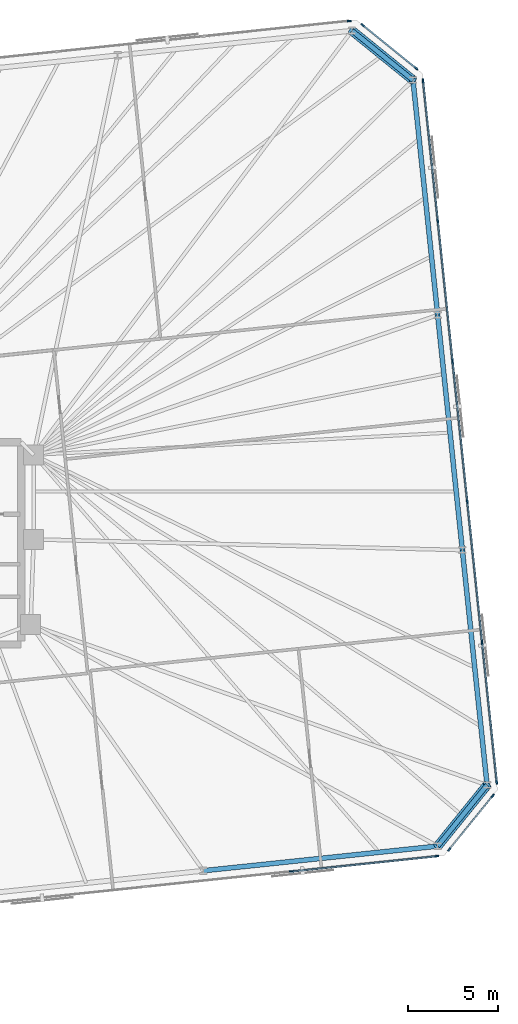
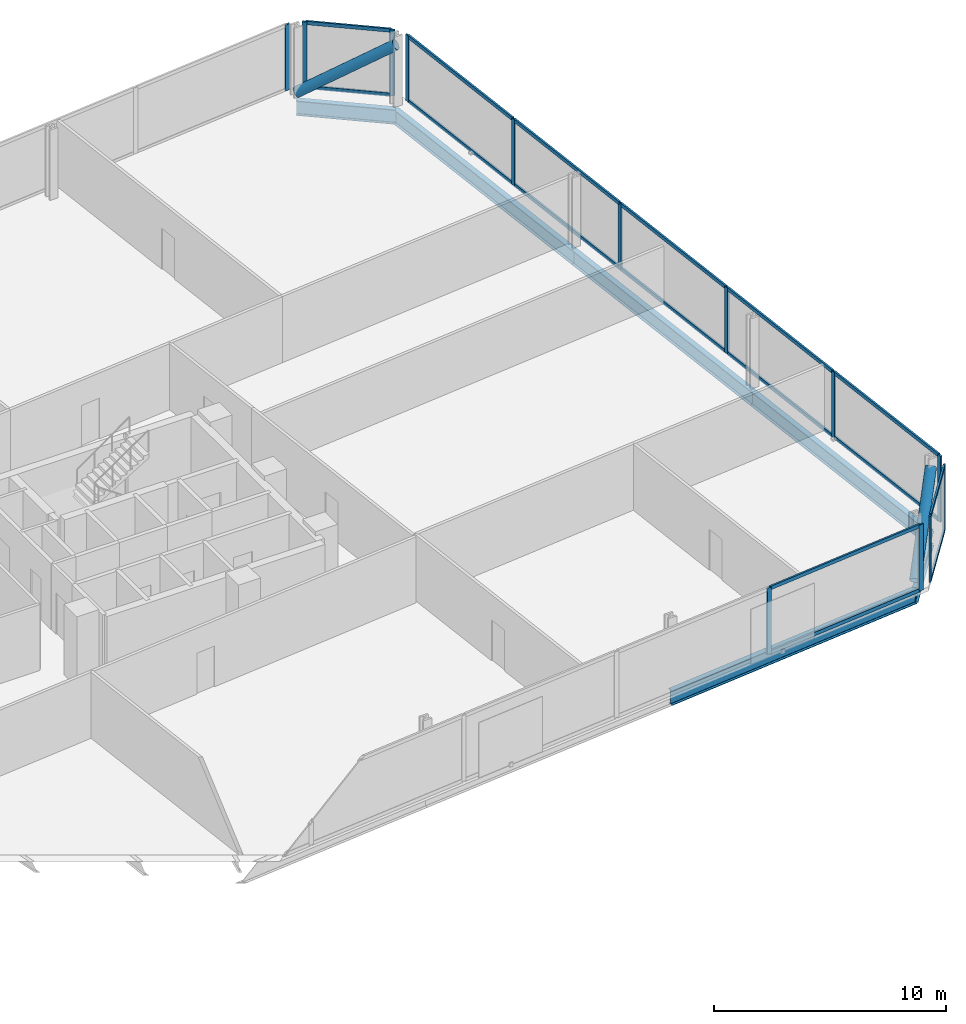
# One storey, part 12 of 18: 31 members, 6 beams, 5 elements without a shape of their own.
"""IFC4 building model written with IfcOpenShell, lengths in metres."""

import ifcopenshell
import ifcopenshell.guid

model = None  # the IFC model being written
_history = None  # IfcOwnerHistory: only IFC2X3 demands one
_inside = {}  # id of a spatial element -> (the spatial element, [elements in it])
_under = {}  # id of a project, library or spatial element -> (it, [spatial elements below it])
_declared = {}  # id of a project -> (the project, [libraries it declares])
_typed = {}  # id of a type object -> (the type object, [elements of that type])
_made_of = {}  # id of a material, layer set ... -> (it, [elements and type objects made of it])


def new_model(schema):
    """Start an empty IFC model of exactly this schema.

    Asked for "IFC4X3", IfcOpenShell would pick the latest addendum, in which some entities
    have other attributes; the version numbers below select the first issue.
    IFC2X3 requires an IfcOwnerHistory on every rooted entity: one is made here for all.
    """
    global model, _history
    if schema == "IFC4X3":
        model = ifcopenshell.file(schema_version=(4, 3, 0, 0))
    else:
        model = ifcopenshell.file(schema=schema)
    _inside.clear()
    _under.clear()
    _declared.clear()
    _typed.clear()
    _made_of.clear()
    _history = None
    if model.schema == "IFC2X3":
        org = make("IfcOrganization", Name="unknown")
        user = make(
            "IfcPersonAndOrganization",
            ThePerson=make("IfcPerson", FamilyName="unknown"),
            TheOrganization=org,
        )
        app = make(
            "IfcApplication",
            ApplicationDeveloper=org,
            Version="unknown",
            ApplicationFullName="unknown",
            ApplicationIdentifier="unknown",
        )
        _history = make(
            "IfcOwnerHistory",
            OwningUser=user,
            OwningApplication=app,
            ChangeAction="ADDED",
            CreationDate=0,
        )
    return model


def make(cls, **values):
    """One entity of the class cls with the attributes given. An attribute that is None is left unset."""
    return model.create_entity(
        cls, **{name: value for name, value in values.items() if value is not None}
    )


def rooted(cls, **values):
    """An entity with a GlobalId (a new one), such as an element, a storey or a relation."""
    return make(cls, GlobalId=ifcopenshell.guid.new(), OwnerHistory=_history, **values)


def si_unit(unit_type, name, prefix=None):
    """IfcSIUnit, for example si_unit("LENGTHUNIT", "METRE", prefix="MILLI")."""
    return make("IfcSIUnit", UnitType=unit_type, Prefix=prefix, Name=name)


def assignment(units):
    """IfcUnitAssignment: the units of a project."""
    return None if units is None else make("IfcUnitAssignment", Units=units)


def point(xyz):
    """IfcCartesianPoint."""
    return None if xyz is None else make("IfcCartesianPoint", Coordinates=xyz)


def direction(xyz):
    """IfcDirection."""
    return None if xyz is None else make("IfcDirection", DirectionRatios=xyz)


def frame(location, z_axis=None, x_axis=None):
    """IfcAxis2Placement3D, a coordinate frame: its origin and axes. An axis left out is left unset."""
    return make(
        "IfcAxis2Placement3D",
        Location=point(location),
        Axis=direction(z_axis),
        RefDirection=direction(x_axis),
    )


def frame_2d(location, x_axis=None):
    """IfcAxis2Placement2D, a coordinate frame in the plane: its origin and x axis."""
    return make(
        "IfcAxis2Placement2D", Location=point(location), RefDirection=direction(x_axis)
    )


def origin():
    """The frame at (0, 0, 0) with its axes left unset."""
    return frame((0.0, 0.0, 0.0))


def origin_2d():
    """The frame at (0, 0) in the plane with its x axis left unset."""
    return frame_2d((0.0, 0.0))


def place(relative_to, where):
    """IfcLocalPlacement: puts the frame where relative to a parent placement (None: the world)."""
    return make(
        "IfcLocalPlacement", PlacementRelTo=relative_to, RelativePlacement=where
    )


def context(
    kind, dimensions, precision=None, world=None, true_north=None, identifier=None
):
    """IfcGeometricRepresentationContext, for example the 3D "Model" context."""
    return make(
        "IfcGeometricRepresentationContext",
        ContextIdentifier=identifier,
        ContextType=kind,
        CoordinateSpaceDimension=dimensions,
        Precision=precision,
        WorldCoordinateSystem=world,
        TrueNorth=true_north,
    )


def subcontext(parent, identifier, kind, view, scale=None):
    """IfcGeometricRepresentationSubContext, for example "Body" below "Model"."""
    return make(
        "IfcGeometricRepresentationSubContext",
        ContextIdentifier=identifier,
        ContextType=kind,
        ParentContext=parent,
        TargetScale=scale,
        TargetView=view,
    )


def project(units=None, contexts=None):
    """IfcProject with its units and contexts."""
    return rooted(
        "IfcProject",
        Name="project",
        RepresentationContexts=contexts,
        UnitsInContext=assignment(units),
    )


def spatial(cls, under=None, at=None, **own):
    """A site, building, storey or space (cls), placed at a placement, below another one or the project."""
    s = rooted(cls, ObjectPlacement=at, **own)
    if under is not None:
        _under.setdefault(under.id(), (under, []))[1].append(s)
    return s


def profile(cls, at=None, kind="AREA", **sizes):
    """A parametric profile (cls). Its sizes go by their IFC names, for example OverallWidth=200.0."""
    return make(cls, ProfileType=kind, Position=at, **sizes)


def rectangle(**sizes):
    """IfcRectangleProfileDef."""
    return profile("IfcRectangleProfileDef", **sizes)


def hollow_circle(**sizes):
    """IfcCircleHollowProfileDef."""
    return profile("IfcCircleHollowProfileDef", **sizes)


def i_section(**sizes):
    """IfcIShapeProfileDef."""
    return profile("IfcIShapeProfileDef", **sizes)


def extrude(swept, where, along, depth):
    """IfcExtrudedAreaSolid: the profile swept, set in the frame where, extruded along a direction by depth."""
    return make(
        "IfcExtrudedAreaSolid",
        SweptArea=swept,
        Position=where,
        ExtrudedDirection=direction(along),
        Depth=depth,
    )


def shape(context_of_items, identifier, shape_type, items):
    """IfcShapeRepresentation: the items that make up one representation, for example the "Body"."""
    return make(
        "IfcShapeRepresentation",
        ContextOfItems=context_of_items,
        RepresentationIdentifier=identifier,
        RepresentationType=shape_type,
        Items=items,
    )


def material(Name=None, Category=None):
    """IfcMaterial."""
    return make("IfcMaterial", Name=Name, Category=Category)


def material_profile(
    of_material, cross_section, Name=None, Category=None, Priority=None
):
    """IfcMaterialProfile: a cross section and its material."""
    return make(
        "IfcMaterialProfile",
        Name=Name,
        Material=of_material,
        Profile=cross_section,
        Priority=Priority,
        Category=Category,
    )


def profile_set(profiles, Name=None, composite=None):
    """IfcMaterialProfileSet."""
    return make(
        "IfcMaterialProfileSet",
        Name=Name,
        MaterialProfiles=profiles,
        CompositeProfile=composite,
    )


def made_of(thing, what):
    """Note that an element or type object is made of a material, layer set ...; save() writes the relation."""
    if what is not None:
        _made_of.setdefault(what.id(), (what, []))[1].append(thing)
    return thing


def type_object(cls, material=None, **own):
    """A type object (cls), such as IfcWallType, which elements share."""
    return made_of(rooted(cls, **own), material)


def element(
    cls,
    number,
    at=None,
    inside=None,
    cuts=None,
    type_object=None,
    material=None,
    context=None,
    identifier="Body",
    shape_type=None,
    held_by="IfcProductDefinitionShape",
    body=None,
    shapes=None,
    **own,
):
    """One element of the class cls, such as IfcWall. Its Tag is "e" and its number.

    at: its placement. inside: the storey or other place that contains it. cuts: it is an
    opening in that element (IfcRelVoidsElement). A single representation is given by context,
    identifier, shape_type and body (its items); several are given by shapes. held_by: the class
    of the entity that holds the representations. save() writes the other relations.
    """
    e = rooted(cls, Tag="e%d" % number, ObjectPlacement=at, **own)
    if body is not None:
        shapes = [shape(context, identifier, shape_type, body)]
    if shapes is not None:
        e.Representation = make(held_by, Representations=shapes)
    if inside is not None:
        _inside.setdefault(inside.id(), (inside, []))[1].append(e)
    if cuts is not None:
        rooted(
            "IfcRelVoidsElement", RelatingBuildingElement=cuts, RelatedOpeningElement=e
        )
    if type_object is not None:
        _typed.setdefault(type_object.id(), (type_object, []))[1].append(e)
    return made_of(e, material)


def aggregate(whole, parts):
    """IfcRelAggregates: a whole, such as a stair, and the parts it consists of."""
    return rooted("IfcRelAggregates", RelatingObject=whole, RelatedObjects=parts)


def save(model, path):
    """Write the relations noted so far, then the file.

    IfcRelAggregates (storeys below a building ...), IfcRelContainedInSpatialStructure (elements
    in a storey), IfcRelDefinesByType, IfcRelAssociatesMaterial and IfcRelDeclares: one each for
    every whole, place, type object, material and project.
    """
    for whole, parts in _under.values():
        aggregate(whole, parts)
    for where, things in _inside.values():
        rooted(
            "IfcRelContainedInSpatialStructure",
            RelatedElements=things,
            RelatingStructure=where,
        )
    for kind, things in _typed.values():
        rooted("IfcRelDefinesByType", RelatedObjects=things, RelatingType=kind)
    for what, things in _made_of.values():
        rooted("IfcRelAssociatesMaterial", RelatedObjects=things, RelatingMaterial=what)
    for by, libraries in _declared.values():
        rooted("IfcRelDeclares", RelatingContext=by, RelatedDefinitions=libraries)
    model.write(path)


model = new_model("IFC4")

# Units and contexts
model_context = context("Model", 3, precision=1e-05, world=origin(), true_north=direction((0.0, 1.0)))
body_context = subcontext(model_context, "Body", "Model", "MODEL_VIEW")
ifc_project = project(units=[si_unit("LENGTHUNIT", "METRE"), si_unit("AREAUNIT", "SQUARE_METRE"), si_unit("VOLUMEUNIT", "CUBIC_METRE"), si_unit("PLANEANGLEUNIT", "RADIAN"), si_unit("MASSUNIT", "GRAM", prefix="KILO")], contexts=[model_context])

# Site, building, storey
site_placement = place(None, origin())
site = spatial("IfcSite", under=ifc_project, at=site_placement, CompositionType="ELEMENT")
building_placement = place(site_placement, origin())
building = spatial("IfcBuilding", under=site, at=building_placement, Name="Menara Jurai Vektor", CompositionType="ELEMENT")
storey_placement = place(building_placement, frame((0.0, 0.0, 117.0)))
storey = spatial("IfcBuildingStorey", under=building, at=storey_placement, Name="L29", CompositionType="ELEMENT", Elevation=117.0)

# Curtain wall, members
ifc_material_1 = material(Name="Anodised Pale Aluminium & Low-E Double Glazing", Category="aluminium")
curtain_wall_type = type_object("IfcCurtainWallType", Name="CW-BLK2", PredefinedType="NOTDEFINED", material=ifc_material_1)
curtain_wall_1_placement = place(storey_placement, origin())
curtain_wall_1 = element("IfcCurtainWall", 1, at=curtain_wall_1_placement, inside=storey, type_object=curtain_wall_type, Name="Unitised Curtain Wall L29 F01", PredefinedType="NOTDEFINED")
ifc_material_2 = material(Name="Anodised Pale Aluminium Mullion", Category="aluminium")
ifc_material_profile_1 = material_profile(ifc_material_2, rectangle(XDim=0.090087890625, YDim=0.219970703125, at=origin_2d()), Name="ALU MUL 90x220")
ifc_profile_set_1 = profile_set([ifc_material_profile_1], Name="Anodised Pale Aluminium Mullion")
member_type_1 = type_object("IfcMemberType", Name="CW-BLK2-MUL", PredefinedType="MULLION", material=ifc_profile_set_1)
member_1_placement = place(storey_placement, frame((29.52392578125, -18.169189453125, 0.0), z_axis=(0.0, 0.0, 1.0), x_axis=(-0.104528634935, 0.994521877325, 0.0)))
member_1 = element("IfcMember", 2, at=member_1_placement, type_object=member_type_1, Name="CW-02 mullion 8", PredefinedType="MULLION", context=body_context, shape_type="SweptSolid", body=[
    extrude(rectangle(XDim=0.090087890625, YDim=0.219970703125, at=origin_2d()), origin(), (0.0, 0.0, 1.0), 3.47509765625),
])
member_2_placement = place(storey_placement, frame((37.5771484375, -17.32275390625, 0.0), z_axis=(0.0, 0.0, 1.0), x_axis=(-0.104528634935, 0.994521877325, 0.0)))
member_2 = element("IfcMember", 3, at=member_2_placement, type_object=member_type_1, Name="CW-02 mullion 9", PredefinedType="MULLION", context=body_context, shape_type="SweptSolid", body=[
    extrude(rectangle(XDim=0.090087890625, YDim=0.219970703125, at=origin_2d()), origin(), (0.0, 0.0, 1.0), 3.47509765625),
])

curtain_wall_2_placement = place(storey_placement, origin())
curtain_wall_2 = element("IfcCurtainWall", 4, at=curtain_wall_2_placement, inside=storey, type_object=curtain_wall_type, Name="Unitised Curtain Wall L29 F02", PredefinedType="NOTDEFINED")
member_3_placement = place(storey_placement, frame((38.267333984375, -16.9482421875, 0.0), z_axis=(0.0, 0.0, 1.0), x_axis=(-0.777129222223, 0.62934106172, 0.0)))
member_3 = element("IfcMember", 5, at=member_3_placement, type_object=member_type_1, Name="CW-02 mullion 1", PredefinedType="MULLION", context=body_context, shape_type="SweptSolid", body=[
    extrude(rectangle(XDim=0.090087890625, YDim=0.219970703125, at=origin_2d()), origin(), (0.0, 0.0, 1.0), 3.47509765625),
])
member_4_placement = place(storey_placement, frame((40.66943359375, -13.98193359375, 0.0), z_axis=(0.0, 0.0, 1.0), x_axis=(-0.777129222223, 0.62934106172, 0.0)))
member_4 = element("IfcMember", 6, at=member_4_placement, type_object=member_type_1, Name="CW-02 mullion 2", PredefinedType="MULLION", context=body_context, shape_type="SweptSolid", body=[
    extrude(rectangle(XDim=0.090087890625, YDim=0.219970703125, at=origin_2d()), origin(), (0.0, 0.0, 1.0), 3.47509765625),
])

curtain_wall_3_placement = place(storey_placement, origin())
curtain_wall_3 = element("IfcCurtainWall", 7, at=curtain_wall_3_placement, inside=storey, type_object=curtain_wall_type, Name="Unitised Curtain Wall L29 F03", PredefinedType="NOTDEFINED")
member_5_placement = place(storey_placement, frame((40.892333984375, -13.22900390625, 0.0), z_axis=(0.0, 0.0, 1.0), x_axis=(-0.99452177832, -0.104529576902, 0.0)))
member_5 = element("IfcMember", 8, at=member_5_placement, type_object=member_type_1, Name="CW-02 mullion 1", PredefinedType="MULLION", context=body_context, shape_type="SweptSolid", body=[
    extrude(rectangle(XDim=0.090087890625, YDim=0.219970703125, at=origin_2d()), origin(), (0.0, 0.0, 1.0), 3.47509765625),
])
member_6_placement = place(storey_placement, frame((40.078857421875, -5.488525390625, 0.0), z_axis=(0.0, 0.0, 1.0), x_axis=(-0.99452177832, -0.104529576902, 0.0)))
member_6 = element("IfcMember", 9, at=member_6_placement, type_object=member_type_1, Name="CW-02 mullion 2", PredefinedType="MULLION", context=body_context, shape_type="SweptSolid", body=[
    extrude(rectangle(XDim=0.090087890625, YDim=0.219970703125, at=origin_2d()), origin(), (0.0, 0.0, 1.0), 3.47509765625),
])
member_7_placement = place(storey_placement, frame((39.260498046875, 2.296630859375, 0.0), z_axis=(0.0, 0.0, 1.0), x_axis=(-0.99452177832, -0.104529576902, 0.0)))
member_7 = element("IfcMember", 10, at=member_7_placement, type_object=member_type_1, Name="CW-02 mullion 3", PredefinedType="MULLION", context=body_context, shape_type="SweptSolid", body=[
    extrude(rectangle(XDim=0.090087890625, YDim=0.219970703125, at=origin_2d()), origin(), (0.0, 0.0, 1.0), 3.47509765625),
])
member_8_placement = place(storey_placement, frame((38.4423828125, 10.081787109375, 0.0), z_axis=(0.0, 0.0, 1.0), x_axis=(-0.99452177832, -0.104529576902, 0.0)))
member_8 = element("IfcMember", 11, at=member_8_placement, type_object=member_type_1, Name="CW-02 mullion 4", PredefinedType="MULLION", context=body_context, shape_type="SweptSolid", body=[
    extrude(rectangle(XDim=0.090087890625, YDim=0.219970703125, at=origin_2d()), origin(), (0.0, 0.0, 1.0), 3.47509765625),
])
member_9_placement = place(storey_placement, frame((37.6240234375, 17.866943359375, 0.0), z_axis=(0.0, 0.0, 1.0), x_axis=(-0.99452177832, -0.104529576902, 0.0)))
member_9 = element("IfcMember", 12, at=member_9_placement, type_object=member_type_1, Name="CW-02 mullion 5", PredefinedType="MULLION", context=body_context, shape_type="SweptSolid", body=[
    extrude(rectangle(XDim=0.090087890625, YDim=0.219970703125, at=origin_2d()), origin(), (0.0, 0.0, 1.0), 3.47509765625),
])
member_10_placement = place(storey_placement, frame((36.810546875, 25.607177734375, 0.0), z_axis=(0.0, 0.0, 1.0), x_axis=(-0.99452177832, -0.104529576902, 0.0)))
member_10 = element("IfcMember", 13, at=member_10_placement, type_object=member_type_1, Name="CW-02 mullion 6", PredefinedType="MULLION", context=body_context, shape_type="SweptSolid", body=[
    extrude(rectangle(XDim=0.090087890625, YDim=0.219970703125, at=origin_2d()), origin(), (0.0, 0.0, 1.0), 3.47509765625),
])

curtain_wall_4_placement = place(storey_placement, origin())
curtain_wall_4 = element("IfcCurtainWall", 14, at=curtain_wall_4_placement, inside=storey, type_object=curtain_wall_type, Name="Unitised Curtain Wall L29 F04", PredefinedType="NOTDEFINED")
member_11_placement = place(storey_placement, frame((36.435791015625, 26.29736328125, 0.0), z_axis=(0.0, 0.0, 1.0), x_axis=(-0.629313085353, -0.777151877437, 0.0)))
member_11 = element("IfcMember", 15, at=member_11_placement, type_object=member_type_1, Name="CW-02 mullion 1", PredefinedType="MULLION", context=body_context, shape_type="SweptSolid", body=[
    extrude(rectangle(XDim=0.090087890625, YDim=0.219970703125, at=origin_2d()), origin(), (0.0, 0.0, 1.0), 3.47509765625),
])
member_12_placement = place(storey_placement, frame((33.469482421875, 28.699462890625, 0.0), z_axis=(0.0, 0.0, 1.0), x_axis=(-0.629313085353, -0.777151877437, 0.0)))
member_12 = element("IfcMember", 16, at=member_12_placement, type_object=member_type_1, Name="CW-02 mullion 2", PredefinedType="MULLION", context=body_context, shape_type="SweptSolid", body=[
    extrude(rectangle(XDim=0.090087890625, YDim=0.219970703125, at=origin_2d()), origin(), (0.0, 0.0, 1.0), 3.47509765625),
])

# Curtain wall, member
curtain_wall_5_placement = place(storey_placement, origin())
curtain_wall_5 = element("IfcCurtainWall", 17, at=curtain_wall_5_placement, inside=storey, type_object=curtain_wall_type, Name="Unitised Curtain Wall L29 F05", PredefinedType="NOTDEFINED")
member_13_placement = place(storey_placement, frame((32.716552734375, 28.92236328125, 0.0), z_axis=(0.0, 0.0, 1.0), x_axis=(0.104528634935, -0.994521877325, 0.0)))
member_13 = element("IfcMember", 18, at=member_13_placement, type_object=member_type_1, Name="CW-02 mullion 1", PredefinedType="MULLION", context=body_context, shape_type="SweptSolid", body=[
    extrude(rectangle(XDim=0.090087890625, YDim=0.219970703125, at=origin_2d()), origin(), (0.0, 0.0, 1.0), 3.47509765625),
])
aggregate(curtain_wall_5, [member_13])

# Member
ifc_material_3 = material(Name="Anodised Pale Aluminium Transom", Category="aluminium")
ifc_material_profile_2 = material_profile(ifc_material_3, rectangle(XDim=0.090087890625, YDim=0.18505859375, at=origin_2d()), Name="ALU TRN 90x185")
ifc_profile_set_2 = profile_set([ifc_material_profile_2], Name="Anodised Pale Aluminium Transom")
member_type_2 = type_object("IfcMemberType", Name="CW-BLK2-TRN", PredefinedType="USERDEFINED", material=ifc_profile_set_2)
member_14_placement = place(storey_placement, frame((29.56884765625, -18.16455078125, 0.044921875), z_axis=(0.994519977808, 0.104546706027, 0.0), x_axis=(-0.104546706027, 0.994519977808, 0.0)))
member_14 = element("IfcMember", 19, at=member_14_placement, type_object=member_type_2, Name="CW-02 transom 8.1", ObjectType="TRANSOM", PredefinedType="USERDEFINED", context=body_context, shape_type="SweptSolid", body=[
    extrude(rectangle(XDim=0.090087890625, YDim=0.18505859375, at=origin_2d()), origin(), (0.0, 0.0, 1.0), 8.007568359375),
])

member_15_placement = place(storey_placement, frame((29.56884765625, -18.16455078125, 3.429931640625), z_axis=(0.994519977808, 0.104546706027, 0.0), x_axis=(-0.104546706027, 0.994519977808, 0.0)))
member_15 = element("IfcMember", 20, at=member_15_placement, type_object=member_type_2, Name="CW-02 transom 8.2", ObjectType="TRANSOM", PredefinedType="USERDEFINED", context=body_context, shape_type="SweptSolid", body=[
    extrude(rectangle(XDim=0.090087890625, YDim=0.18505859375, at=origin_2d()), origin(), (0.0, 0.0, 1.0), 8.007568359375),
])

aggregate(curtain_wall_1, [member_1, member_2, member_14, member_15])

member_16_placement = place(storey_placement, frame((38.295654296875, -16.9130859375, 0.044921875), z_axis=(0.6293414396, 0.777128916205, 0.0), x_axis=(-0.777128916205, 0.6293414396, 0.0)))
member_16 = element("IfcMember", 21, at=member_16_placement, type_object=member_type_2, Name="CW-02 transom 1.1", ObjectType="TRANSOM", PredefinedType="USERDEFINED", context=body_context, shape_type="SweptSolid", body=[
    extrude(rectangle(XDim=0.090087890625, YDim=0.18505859375, at=origin_2d()), origin(), (0.0, 0.0, 1.0), 3.726806640625),
])

member_17_placement = place(storey_placement, frame((38.295654296875, -16.9130859375, 3.429931640625), z_axis=(0.6293414396, 0.777128916205, 0.0), x_axis=(-0.777128916205, 0.6293414396, 0.0)))
member_17 = element("IfcMember", 22, at=member_17_placement, type_object=member_type_2, Name="CW-02 transom 1.2", ObjectType="TRANSOM", PredefinedType="USERDEFINED", context=body_context, shape_type="SweptSolid", body=[
    extrude(rectangle(XDim=0.090087890625, YDim=0.18505859375, at=origin_2d()), origin(), (0.0, 0.0, 1.0), 3.726806640625),
])

aggregate(curtain_wall_2, [member_3, member_4, member_16, member_17])

member_18_placement = place(storey_placement, frame((40.8876953125, -13.18408203125, 0.044921875), z_axis=(-0.104536105602, 0.994521092097, 0.0), x_axis=(-0.994521092097, -0.104536105602, 0.0)))
member_18 = element("IfcMember", 23, at=member_18_placement, type_object=member_type_2, Name="CW-02 transom 1.1", ObjectType="TRANSOM", PredefinedType="USERDEFINED", context=body_context, shape_type="SweptSolid", body=[
    extrude(rectangle(XDim=0.090087890625, YDim=0.18505859375, at=origin_2d()), origin(), (0.0, 0.0, 1.0), 7.693115234375),
])

member_19_placement = place(storey_placement, frame((40.8876953125, -13.18408203125, 3.429931640625), z_axis=(-0.104536105602, 0.994521092097, 0.0), x_axis=(-0.994521092097, -0.104536105602, 0.0)))
member_19 = element("IfcMember", 24, at=member_19_placement, type_object=member_type_2, Name="CW-02 transom 1.2", ObjectType="TRANSOM", PredefinedType="USERDEFINED", context=body_context, shape_type="SweptSolid", body=[
    extrude(rectangle(XDim=0.090087890625, YDim=0.18505859375, at=origin_2d()), origin(), (0.0, 0.0, 1.0), 7.693115234375),
])

member_20_placement = place(storey_placement, frame((40.07421875, -5.44384765625, 0.044921875), z_axis=(-0.104528756613, 0.994521864536, 0.0), x_axis=(-0.994521864536, -0.104528756613, 0.0)))
member_20 = element("IfcMember", 25, at=member_20_placement, type_object=member_type_2, Name="CW-02 transom 2.1", ObjectType="TRANSOM", PredefinedType="USERDEFINED", context=body_context, shape_type="SweptSolid", body=[
    extrude(rectangle(XDim=0.090087890625, YDim=0.18505859375, at=origin_2d()), origin(), (0.0, 0.0, 1.0), 7.738037109375),
])

member_21_placement = place(storey_placement, frame((40.07421875, -5.44384765625, 3.429931640625), z_axis=(-0.104528756613, 0.994521864536, 0.0), x_axis=(-0.994521864536, -0.104528756613, 0.0)))
member_21 = element("IfcMember", 26, at=member_21_placement, type_object=member_type_2, Name="CW-02 transom 2.2", ObjectType="TRANSOM", PredefinedType="USERDEFINED", context=body_context, shape_type="SweptSolid", body=[
    extrude(rectangle(XDim=0.090087890625, YDim=0.18505859375, at=origin_2d()), origin(), (0.0, 0.0, 1.0), 7.738037109375),
])

member_22_placement = place(storey_placement, frame((39.255859375, 2.34130859375, 0.044921875), z_axis=(-0.104528756613, 0.994521864536, 0.0), x_axis=(-0.994521864536, -0.104528756613, 0.0)))
member_22 = element("IfcMember", 27, at=member_22_placement, type_object=member_type_2, Name="CW-02 transom 3.1", ObjectType="TRANSOM", PredefinedType="USERDEFINED", context=body_context, shape_type="SweptSolid", body=[
    extrude(rectangle(XDim=0.090087890625, YDim=0.18505859375, at=origin_2d()), origin(), (0.0, 0.0, 1.0), 7.738037109375),
])

member_23_placement = place(storey_placement, frame((39.255859375, 2.34130859375, 3.429931640625), z_axis=(-0.104528756613, 0.994521864536, 0.0), x_axis=(-0.994521864536, -0.104528756613, 0.0)))
member_23 = element("IfcMember", 28, at=member_23_placement, type_object=member_type_2, Name="CW-02 transom 3.2", ObjectType="TRANSOM", PredefinedType="USERDEFINED", context=body_context, shape_type="SweptSolid", body=[
    extrude(rectangle(XDim=0.090087890625, YDim=0.18505859375, at=origin_2d()), origin(), (0.0, 0.0, 1.0), 7.738037109375),
])

member_24_placement = place(storey_placement, frame((38.4375, 10.12646484375, 0.044921875), z_axis=(-0.104528756613, 0.994521864536, 0.0), x_axis=(-0.994521864536, -0.104528756613, 0.0)))
member_24 = element("IfcMember", 29, at=member_24_placement, type_object=member_type_2, Name="CW-02 transom 4.1", ObjectType="TRANSOM", PredefinedType="USERDEFINED", context=body_context, shape_type="SweptSolid", body=[
    extrude(rectangle(XDim=0.090087890625, YDim=0.18505859375, at=origin_2d()), origin(), (0.0, 0.0, 1.0), 7.738037109375),
])

member_25_placement = place(storey_placement, frame((38.4375, 10.12646484375, 3.429931640625), z_axis=(-0.104528756613, 0.994521864536, 0.0), x_axis=(-0.994521864536, -0.104528756613, 0.0)))
member_25 = element("IfcMember", 30, at=member_25_placement, type_object=member_type_2, Name="CW-02 transom 4.2", ObjectType="TRANSOM", PredefinedType="USERDEFINED", context=body_context, shape_type="SweptSolid", body=[
    extrude(rectangle(XDim=0.090087890625, YDim=0.18505859375, at=origin_2d()), origin(), (0.0, 0.0, 1.0), 7.738037109375),
])

member_26_placement = place(storey_placement, frame((37.619384765625, 17.91162109375, 0.044921875), z_axis=(-0.104536105602, 0.994521092097, 0.0), x_axis=(-0.994521092097, -0.104536105602, 0.0)))
member_26 = element("IfcMember", 31, at=member_26_placement, type_object=member_type_2, Name="CW-02 transom 5.1", ObjectType="TRANSOM", PredefinedType="USERDEFINED", context=body_context, shape_type="SweptSolid", body=[
    extrude(rectangle(XDim=0.090087890625, YDim=0.18505859375, at=origin_2d()), origin(), (0.0, 0.0, 1.0), 7.693115234375),
])

member_27_placement = place(storey_placement, frame((37.619384765625, 17.91162109375, 3.429931640625), z_axis=(-0.104536105602, 0.994521092097, 0.0), x_axis=(-0.994521092097, -0.104536105602, 0.0)))
member_27 = element("IfcMember", 32, at=member_27_placement, type_object=member_type_2, Name="CW-02 transom 5.2", ObjectType="TRANSOM", PredefinedType="USERDEFINED", context=body_context, shape_type="SweptSolid", body=[
    extrude(rectangle(XDim=0.090087890625, YDim=0.18505859375, at=origin_2d()), origin(), (0.0, 0.0, 1.0), 7.693115234375),
])

aggregate(curtain_wall_3, [member_5, member_6, member_7, member_8, member_9, member_10, member_18, member_19, member_20, member_21, member_22, member_23, member_24, member_25, member_26, member_27])

member_28_placement = place(storey_placement, frame((36.40087890625, 26.32568359375, 0.044921875), z_axis=(-0.77715486027, 0.629309401772, 0.0), x_axis=(-0.629309401772, -0.77715486027, 0.0)))
member_28 = element("IfcMember", 33, at=member_28_placement, type_object=member_type_2, Name="CW-02 transom 1.1", ObjectType="TRANSOM", PredefinedType="USERDEFINED", context=body_context, shape_type="SweptSolid", body=[
    extrude(rectangle(XDim=0.090087890625, YDim=0.18505859375, at=origin_2d()), origin(), (0.0, 0.0, 1.0), 3.72705078125),
])

member_29_placement = place(storey_placement, frame((36.40087890625, 26.32568359375, 3.429931640625), z_axis=(-0.77715486027, 0.629309401772, 0.0), x_axis=(-0.629309401772, -0.77715486027, 0.0)))
member_29 = element("IfcMember", 34, at=member_29_placement, type_object=member_type_2, Name="CW-02 transom 1.2", ObjectType="TRANSOM", PredefinedType="USERDEFINED", context=body_context, shape_type="SweptSolid", body=[
    extrude(rectangle(XDim=0.090087890625, YDim=0.18505859375, at=origin_2d()), origin(), (0.0, 0.0, 1.0), 3.72705078125),
])

aggregate(curtain_wall_4, [member_11, member_12, member_28, member_29])

# Members
ifc_material_4 = material(Name="Steel S460", Category="steel")
ifc_material_profile_3 = material_profile(ifc_material_4, hollow_circle(Radius=0.25390625, WallThickness=0.02001953125, at=origin_2d()), Name="CHS 508x20")
ifc_profile_set_3 = profile_set([ifc_material_profile_3], Name="Steel S460")
member_type_3 = type_object("IfcMemberType", Name="STR-BR-508", PredefinedType="BRACE", material=ifc_profile_set_3)
for number, where, z_axis, x_axis, name in (
    (35, (37.621826171875, -16.76513671875, 0.14990234375), (0.519271719394, 0.641207846359, 0.564986176119), (-0.777127086072, 0.629343699494, 0.0), "Exoskeleton Corner Brace L29-1"),
    (36, (32.876220703125, 28.38623046875, 0.14990234375), (0.641207846359, -0.519271719394, 0.564986176119), (0.629343699494, 0.777127086072, 0.0), "Exoskeleton Corner Brace L29-2"),
):
    element("IfcMember", number, at=place(storey_placement, frame(where, z_axis=z_axis, x_axis=x_axis)), inside=storey, type_object=member_type_3, Name=name, PredefinedType="BRACE", context=body_context, shape_type="SweptSolid", body=[
        extrude(hollow_circle(Radius=0.25390625, WallThickness=0.02001953125, at=origin_2d()), origin(), (0.0, 0.0, 1.0), 5.265869140625),
    ])

# Beams
ifc_material_profile_4 = material_profile(ifc_material_4, i_section(OverallWidth=0.26806640625, OverallDepth=0.77001953125, WebThickness=0.01611328125, FlangeThickness=0.02490234375, FilletRadius=0.01708984375, at=origin_2d()), Name="UKB 762x267x197")
ifc_profile_set_4 = profile_set([ifc_material_profile_4], Name="Steel S460")
beam_type = type_object("IfcBeamType", Name="STR-SP-762", PredefinedType="SPANDREL", material=ifc_profile_set_4)
beam_1_placement = place(storey_placement, frame((24.64208984375, -18.12939453125, -0.610107421875), z_axis=(0.994521636083, 0.104530930169, 0.0), x_axis=(-0.104530930169, 0.994521636083, 0.0)))
element("IfcBeam", 37, at=beam_1_placement, inside=storey, type_object=beam_type, Name="Exoskeleton Spandrel Beam L29-05", PredefinedType="SPANDREL", context=body_context, shape_type="SweptSolid", body=[
    extrude(i_section(OverallWidth=0.26806640625, OverallDepth=0.77001953125, WebThickness=0.01611328125, FlangeThickness=0.02490234375, FilletRadius=0.01708984375, at=origin_2d()), origin(), (0.0, 0.0, 1.0), 13.05126953125),
])
beam_2_placement = place(storey_placement, frame((37.621826171875, -16.76513671875, -0.610107421875), z_axis=(0.629343699494, 0.777127086072, 0.0), x_axis=(-0.777127086072, 0.629343699494, 0.0)))
element("IfcBeam", 38, at=beam_2_placement, inside=storey, type_object=beam_type, Name="Exoskeleton Spandrel Beam L29-06", PredefinedType="SPANDREL", context=body_context, shape_type="SweptSolid", body=[
    extrude(i_section(OverallWidth=0.26806640625, OverallDepth=0.77001953125, WebThickness=0.01611328125, FlangeThickness=0.02490234375, FilletRadius=0.01708984375, at=origin_2d()), origin(), (0.0, 0.0, 1.0), 4.3447265625),
])
beam_3_placement = place(storey_placement, frame((40.356201171875, -13.388671875, -0.610107421875), z_axis=(-0.104538130097, 0.994520879296, 0.0), x_axis=(-0.994520879296, -0.104538130097, 0.0)))
element("IfcBeam", 39, at=beam_3_placement, inside=storey, type_object=beam_type, Name="Exoskeleton Spandrel Beam L29-07", PredefinedType="SPANDREL", context=body_context, shape_type="SweptSolid", body=[
    extrude(i_section(OverallWidth=0.26806640625, OverallDepth=0.77001953125, WebThickness=0.01611328125, FlangeThickness=0.02490234375, FilletRadius=0.01708984375, at=origin_2d()), origin(), (0.0, 0.0, 1.0), 13.08544921875),
])
beam_4_placement = place(storey_placement, frame((38.98828125, -0.375, -0.610107421875), z_axis=(-0.104521615846, 0.994522615037, 0.0), x_axis=(-0.994522615037, -0.104521615846, 0.0)))
element("IfcBeam", 40, at=beam_4_placement, inside=storey, type_object=beam_type, Name="Exoskeleton Spandrel Beam L29-08", PredefinedType="SPANDREL", context=body_context, shape_type="SweptSolid", body=[
    extrude(i_section(OverallWidth=0.26806640625, OverallDepth=0.77001953125, WebThickness=0.01611328125, FlangeThickness=0.02490234375, FilletRadius=0.01708984375, at=origin_2d()), origin(), (0.0, 0.0, 1.0), 13.085205078125),
])
beam_5_placement = place(storey_placement, frame((37.62060546875, 12.638427734375, -0.610107421875), z_axis=(-0.104538130097, 0.994520879296, 0.0), x_axis=(-0.994520879296, -0.104538130097, 0.0)))
element("IfcBeam", 41, at=beam_5_placement, inside=storey, type_object=beam_type, Name="Exoskeleton Spandrel Beam L29-09", PredefinedType="SPANDREL", context=body_context, shape_type="SweptSolid", body=[
    extrude(i_section(OverallWidth=0.26806640625, OverallDepth=0.77001953125, WebThickness=0.01611328125, FlangeThickness=0.02490234375, FilletRadius=0.01708984375, at=origin_2d()), origin(), (0.0, 0.0, 1.0), 13.08544921875),
])
beam_6_placement = place(storey_placement, frame((36.252685546875, 25.652099609375, -0.610107421875), z_axis=(-0.777154568396, 0.629309762217, 0.0), x_axis=(-0.629309762217, -0.777154568396, 0.0)))
element("IfcBeam", 42, at=beam_6_placement, inside=storey, type_object=beam_type, Name="Exoskeleton Spandrel Beam L29-10", PredefinedType="SPANDREL", context=body_context, shape_type="SweptSolid", body=[
    extrude(i_section(OverallWidth=0.26806640625, OverallDepth=0.77001953125, WebThickness=0.01611328125, FlangeThickness=0.02490234375, FilletRadius=0.01708984375, at=origin_2d()), origin(), (0.0, 0.0, 1.0), 4.3447265625),
])

save(model, "model.ifc")
